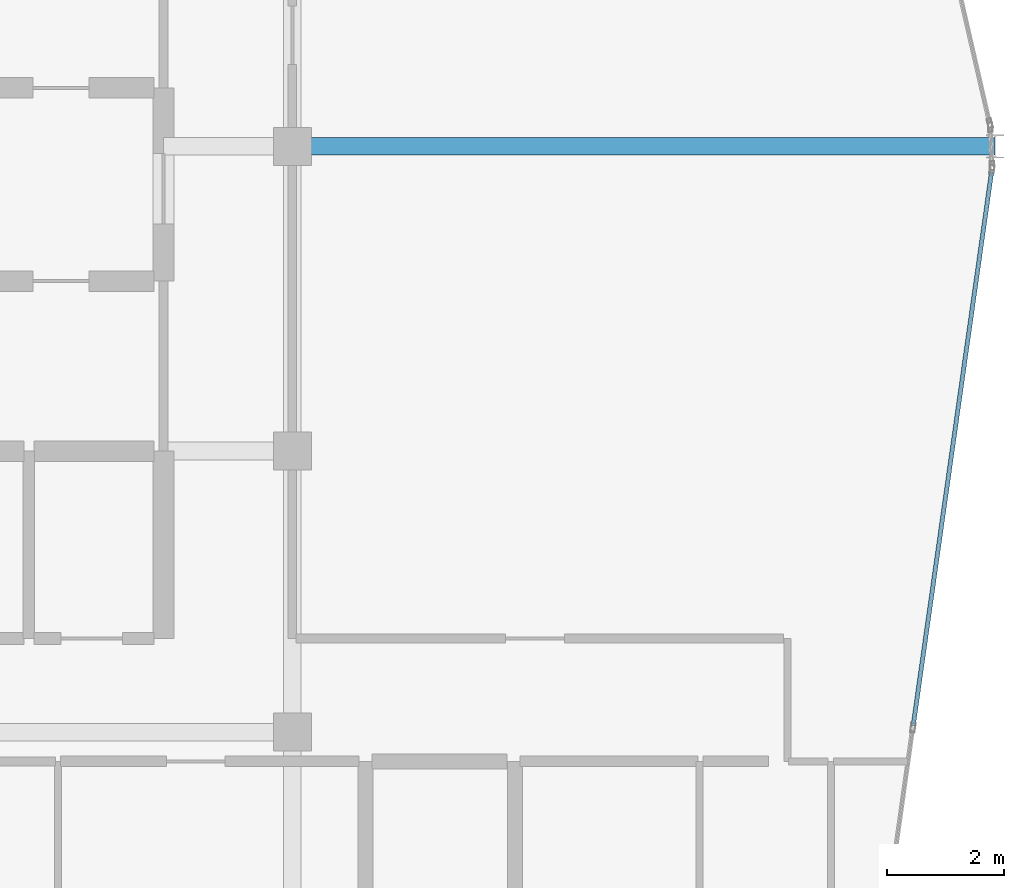
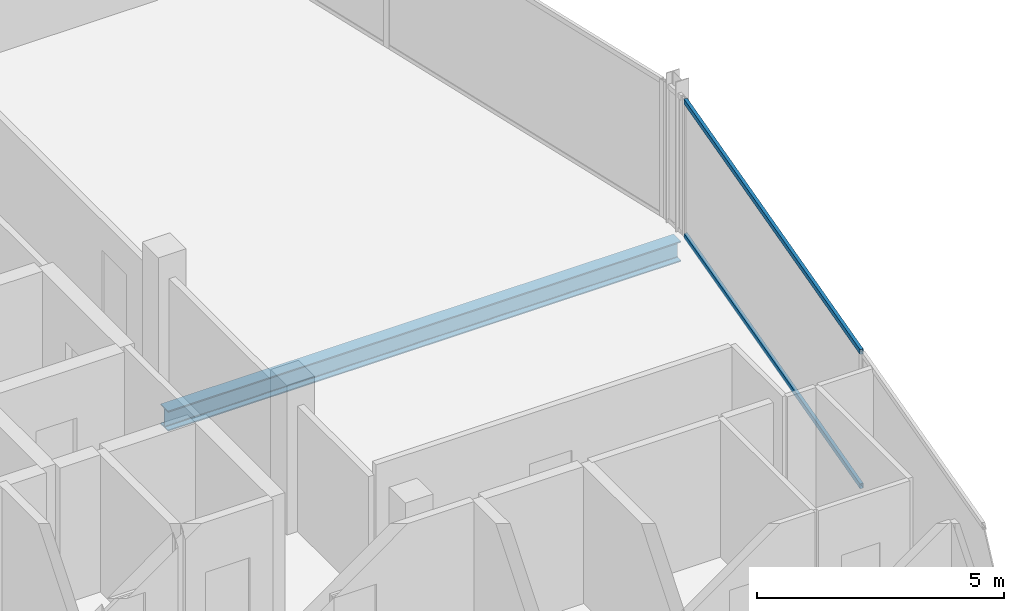
# One storey, part 13 of 27: 2 members, 1 beam, 1 element without a shape of its own.
"""IFC4 building model written with IfcOpenShell, lengths in metres."""

from ifc_helpers import new_model, si_unit, direction, frame, origin, origin_2d, place, context, subcontext, project, spatial, hollow_rectangle, i_section, extrude, material, layer, layer_set, material_profile, profile_set, type_object, element, aggregate, save


model = new_model("IFC4")

# Units and contexts
model_context = context("Model", 3, precision=1e-05, world=origin(), true_north=direction((0.0, 1.0)))
body_context = subcontext(model_context, "Body", "Model", "MODEL_VIEW")
ifc_project = project(units=[si_unit("LENGTHUNIT", "METRE"), si_unit("AREAUNIT", "SQUARE_METRE"), si_unit("VOLUMEUNIT", "CUBIC_METRE"), si_unit("PLANEANGLEUNIT", "RADIAN"), si_unit("MASSUNIT", "GRAM", prefix="KILO")], contexts=[model_context])

# Site, building, storey
site_placement = place(None, origin())
site = spatial("IfcSite", under=ifc_project, at=site_placement, CompositionType="ELEMENT")
building_placement = place(site_placement, origin())
building = spatial("IfcBuilding", under=site, at=building_placement, Name="Keshet Zoharim Tower", CompositionType="ELEMENT")
storey_placement = place(building_placement, frame((0.0, 0.0, 307.300048828125)))
storey = spatial("IfcBuildingStorey", under=building, at=storey_placement, Name="L77", CompositionType="ELEMENT", Elevation=307.300048828125)

# Beam
ifc_material_1 = material(Name="Steel S355", Category="steel")
ifc_material_profile_1 = material_profile(ifc_material_1, i_section(OverallWidth=0.300048828125, OverallDepth=0.5, WebThickness=0.014404296875, FlangeThickness=0.028076171875, FilletRadius=0.027099609375, at=origin_2d()), Name="HEB500")
ifc_profile_set_1 = profile_set([ifc_material_profile_1], Name="Steel S355")
beam_type = type_object("IfcBeamType", Name="BM-MED-HB500", PredefinedType="BEAM", material=ifc_profile_set_1)
beam_placement = place(storey_placement, frame((33.0, 27.89990234375, -0.56005859375), z_axis=(1.0, 0.0, 0.0), x_axis=(0.0, 1.0, 0.0)))
element("IfcBeam", 1, at=beam_placement, inside=storey, type_object=beam_type, Name="L77 Primary Girder X-007", PredefinedType="BEAM", context=body_context, shape_type="SweptSolid", body=[
    extrude(i_section(OverallWidth=0.300048828125, OverallDepth=0.5, WebThickness=0.014404296875, FlangeThickness=0.028076171875, FilletRadius=0.027099609375, at=origin_2d()), origin(), (0.0, 0.0, 1.0), 12.0),
])

# Curtain wall, members
ifc_material_2 = material(Name="Aluminium 6063-T6", Category="aluminium")
ifc_layer = layer(ifc_material_2, 0.260009765625)
ifc_layer_set = layer_set([ifc_layer], Name="Aluminium 6063-T6")
curtain_wall_type = type_object("IfcCurtainWallType", Name="CW-SYS-06", PredefinedType="NOTDEFINED", material=ifc_layer_set)
curtain_wall_placement = place(storey_placement, origin())
curtain_wall = element("IfcCurtainWall", 2, at=curtain_wall_placement, inside=storey, type_object=curtain_wall_type, Name="L77 Unitised Curtain Wall 11", PredefinedType="NOTDEFINED")
ifc_material_profile_2 = material_profile(ifc_material_2, hollow_rectangle(XDim=0.074951171875, YDim=0.1201171875, WallThickness=0.00390625, at=origin_2d()), Name="TRN-75x120")
ifc_profile_set_2 = profile_set([ifc_material_profile_2], Name="Aluminium 6063-T6")
member_type = type_object("IfcMemberType", Name="CWT-T12", PredefinedType="USERDEFINED", material=ifc_profile_set_2)
member_1_placement = place(storey_placement, frame((44.938232421875, 27.462646484375, 0.034912109375), z_axis=(-0.140150169695, -0.990130259074, 0.0), x_axis=(0.990130259074, -0.140150169695, 0.0)))
member_1 = element("IfcMember", 3, at=member_1_placement, type_object=member_type, Name="CW-06 transom 1.1", ObjectType="TRANSOM", PredefinedType="USERDEFINED", context=body_context, shape_type="SweptSolid", body=[
    extrude(hollow_rectangle(XDim=0.074951171875, YDim=0.1201171875, WallThickness=0.00390625, at=origin_2d()), origin(), (0.0, 0.0, 1.0), 9.546142578125),
])
member_2_placement = place(storey_placement, frame((44.938232421875, 27.462646484375, 3.35498046875), z_axis=(-0.140150169695, -0.990130259074, 0.0), x_axis=(0.990130259074, -0.140150169695, 0.0)))
member_2 = element("IfcMember", 4, at=member_2_placement, type_object=member_type, Name="CW-06 transom 1.2", ObjectType="TRANSOM", PredefinedType="USERDEFINED", context=body_context, shape_type="SweptSolid", body=[
    extrude(hollow_rectangle(XDim=0.074951171875, YDim=0.1201171875, WallThickness=0.00390625, at=origin_2d()), origin(), (0.0, 0.0, 1.0), 9.546142578125),
])
aggregate(curtain_wall, [member_1, member_2])

save(model, "model.ifc")
